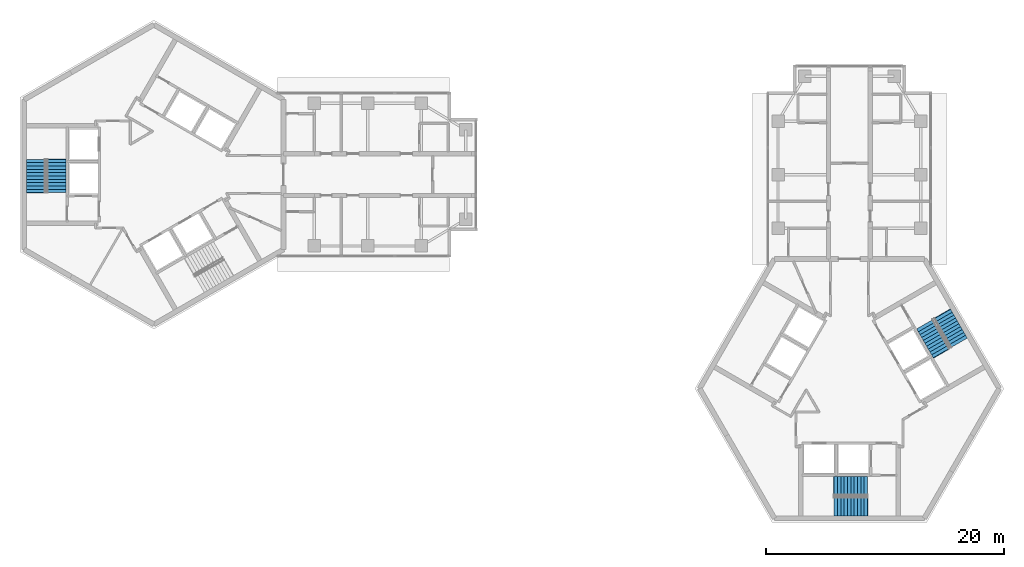
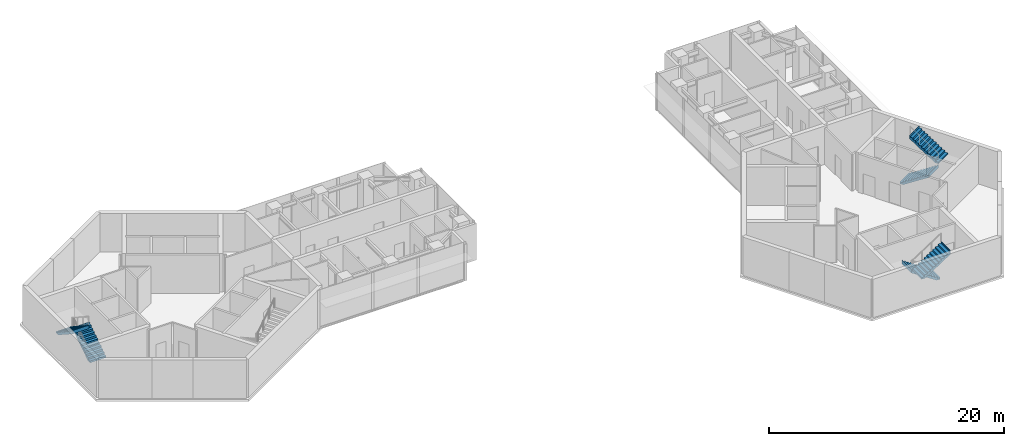
# One storey, part 10 of 11: 6 stair flights, 3 elements without a shape of their own.
"""IFC4 building model written with IfcOpenShell, lengths in metres."""

import ifcopenshell
import ifcopenshell.guid

model = None  # the IFC model being written
_history = None  # IfcOwnerHistory: only IFC2X3 demands one
_inside = {}  # id of a spatial element -> (the spatial element, [elements in it])
_under = {}  # id of a project, library or spatial element -> (it, [spatial elements below it])
_declared = {}  # id of a project -> (the project, [libraries it declares])
_typed = {}  # id of a type object -> (the type object, [elements of that type])
_made_of = {}  # id of a material, layer set ... -> (it, [elements and type objects made of it])


def new_model(schema):
    """Start an empty IFC model of exactly this schema.

    Asked for "IFC4X3", IfcOpenShell would pick the latest addendum, in which some entities
    have other attributes; the version numbers below select the first issue.
    IFC2X3 requires an IfcOwnerHistory on every rooted entity: one is made here for all.
    """
    global model, _history
    if schema == "IFC4X3":
        model = ifcopenshell.file(schema_version=(4, 3, 0, 0))
    else:
        model = ifcopenshell.file(schema=schema)
    _inside.clear()
    _under.clear()
    _declared.clear()
    _typed.clear()
    _made_of.clear()
    _history = None
    if model.schema == "IFC2X3":
        org = make("IfcOrganization", Name="unknown")
        user = make(
            "IfcPersonAndOrganization",
            ThePerson=make("IfcPerson", FamilyName="unknown"),
            TheOrganization=org,
        )
        app = make(
            "IfcApplication",
            ApplicationDeveloper=org,
            Version="unknown",
            ApplicationFullName="unknown",
            ApplicationIdentifier="unknown",
        )
        _history = make(
            "IfcOwnerHistory",
            OwningUser=user,
            OwningApplication=app,
            ChangeAction="ADDED",
            CreationDate=0,
        )
    return model


def make(cls, **values):
    """One entity of the class cls with the attributes given. An attribute that is None is left unset."""
    return model.create_entity(
        cls, **{name: value for name, value in values.items() if value is not None}
    )


def rooted(cls, **values):
    """An entity with a GlobalId (a new one), such as an element, a storey or a relation."""
    return make(cls, GlobalId=ifcopenshell.guid.new(), OwnerHistory=_history, **values)


def si_unit(unit_type, name, prefix=None):
    """IfcSIUnit, for example si_unit("LENGTHUNIT", "METRE", prefix="MILLI")."""
    return make("IfcSIUnit", UnitType=unit_type, Prefix=prefix, Name=name)


def assignment(units):
    """IfcUnitAssignment: the units of a project."""
    return None if units is None else make("IfcUnitAssignment", Units=units)


def point(xyz):
    """IfcCartesianPoint."""
    return None if xyz is None else make("IfcCartesianPoint", Coordinates=xyz)


def direction(xyz):
    """IfcDirection."""
    return None if xyz is None else make("IfcDirection", DirectionRatios=xyz)


def frame(location, z_axis=None, x_axis=None):
    """IfcAxis2Placement3D, a coordinate frame: its origin and axes. An axis left out is left unset."""
    return make(
        "IfcAxis2Placement3D",
        Location=point(location),
        Axis=direction(z_axis),
        RefDirection=direction(x_axis),
    )


def origin():
    """The frame at (0, 0, 0) with its axes left unset."""
    return frame((0.0, 0.0, 0.0))


def place(relative_to, where):
    """IfcLocalPlacement: puts the frame where relative to a parent placement (None: the world)."""
    return make(
        "IfcLocalPlacement", PlacementRelTo=relative_to, RelativePlacement=where
    )


def context(
    kind, dimensions, precision=None, world=None, true_north=None, identifier=None
):
    """IfcGeometricRepresentationContext, for example the 3D "Model" context."""
    return make(
        "IfcGeometricRepresentationContext",
        ContextIdentifier=identifier,
        ContextType=kind,
        CoordinateSpaceDimension=dimensions,
        Precision=precision,
        WorldCoordinateSystem=world,
        TrueNorth=true_north,
    )


def subcontext(parent, identifier, kind, view, scale=None):
    """IfcGeometricRepresentationSubContext, for example "Body" below "Model"."""
    return make(
        "IfcGeometricRepresentationSubContext",
        ContextIdentifier=identifier,
        ContextType=kind,
        ParentContext=parent,
        TargetScale=scale,
        TargetView=view,
    )


def project(units=None, contexts=None):
    """IfcProject with its units and contexts."""
    return rooted(
        "IfcProject",
        Name="project",
        RepresentationContexts=contexts,
        UnitsInContext=assignment(units),
    )


def spatial(cls, under=None, at=None, **own):
    """A site, building, storey or space (cls), placed at a placement, below another one or the project."""
    s = rooted(cls, ObjectPlacement=at, **own)
    if under is not None:
        _under.setdefault(under.id(), (under, []))[1].append(s)
    return s


def polyline(points):
    """IfcPolyline through the points."""
    return make("IfcPolyline", Points=[point(p) for p in points])


def outline(outer, holes=None, kind="AREA"):
    """IfcArbitraryClosedProfileDef: a profile drawn as a closed curve; with holes, ...WithVoids."""
    if holes is None:
        return make("IfcArbitraryClosedProfileDef", ProfileType=kind, OuterCurve=outer)
    return make(
        "IfcArbitraryProfileDefWithVoids",
        ProfileType=kind,
        OuterCurve=outer,
        InnerCurves=holes,
    )


def extrude(swept, where, along, depth):
    """IfcExtrudedAreaSolid: the profile swept, set in the frame where, extruded along a direction by depth."""
    return make(
        "IfcExtrudedAreaSolid",
        SweptArea=swept,
        Position=where,
        ExtrudedDirection=direction(along),
        Depth=depth,
    )


def shape(context_of_items, identifier, shape_type, items):
    """IfcShapeRepresentation: the items that make up one representation, for example the "Body"."""
    return make(
        "IfcShapeRepresentation",
        ContextOfItems=context_of_items,
        RepresentationIdentifier=identifier,
        RepresentationType=shape_type,
        Items=items,
    )


def material(Name=None, Category=None):
    """IfcMaterial."""
    return make("IfcMaterial", Name=Name, Category=Category)


def made_of(thing, what):
    """Note that an element or type object is made of a material, layer set ...; save() writes the relation."""
    if what is not None:
        _made_of.setdefault(what.id(), (what, []))[1].append(thing)
    return thing


def type_object(cls, material=None, **own):
    """A type object (cls), such as IfcWallType, which elements share."""
    return made_of(rooted(cls, **own), material)


def element(
    cls,
    number,
    at=None,
    inside=None,
    cuts=None,
    type_object=None,
    material=None,
    context=None,
    identifier="Body",
    shape_type=None,
    held_by="IfcProductDefinitionShape",
    body=None,
    shapes=None,
    **own,
):
    """One element of the class cls, such as IfcWall. Its Tag is "e" and its number.

    at: its placement. inside: the storey or other place that contains it. cuts: it is an
    opening in that element (IfcRelVoidsElement). A single representation is given by context,
    identifier, shape_type and body (its items); several are given by shapes. held_by: the class
    of the entity that holds the representations. save() writes the other relations.
    """
    e = rooted(cls, Tag="e%d" % number, ObjectPlacement=at, **own)
    if body is not None:
        shapes = [shape(context, identifier, shape_type, body)]
    if shapes is not None:
        e.Representation = make(held_by, Representations=shapes)
    if inside is not None:
        _inside.setdefault(inside.id(), (inside, []))[1].append(e)
    if cuts is not None:
        rooted(
            "IfcRelVoidsElement", RelatingBuildingElement=cuts, RelatedOpeningElement=e
        )
    if type_object is not None:
        _typed.setdefault(type_object.id(), (type_object, []))[1].append(e)
    return made_of(e, material)


def aggregate(whole, parts):
    """IfcRelAggregates: a whole, such as a stair, and the parts it consists of."""
    return rooted("IfcRelAggregates", RelatingObject=whole, RelatedObjects=parts)


def save(model, path):
    """Write the relations noted so far, then the file.

    IfcRelAggregates (storeys below a building ...), IfcRelContainedInSpatialStructure (elements
    in a storey), IfcRelDefinesByType, IfcRelAssociatesMaterial and IfcRelDeclares: one each for
    every whole, place, type object, material and project.
    """
    for whole, parts in _under.values():
        aggregate(whole, parts)
    for where, things in _inside.values():
        rooted(
            "IfcRelContainedInSpatialStructure",
            RelatedElements=things,
            RelatingStructure=where,
        )
    for kind, things in _typed.values():
        rooted("IfcRelDefinesByType", RelatedObjects=things, RelatingType=kind)
    for what, things in _made_of.values():
        rooted("IfcRelAssociatesMaterial", RelatedObjects=things, RelatingMaterial=what)
    for by, libraries in _declared.values():
        rooted("IfcRelDeclares", RelatingContext=by, RelatedDefinitions=libraries)
    model.write(path)


model = new_model("IFC4")

# Units and contexts
model_context = context("Model", 3, precision=1e-05, world=origin(), true_north=direction((0.0, 1.0)))
body_context = subcontext(model_context, "Body", "Model", "MODEL_VIEW")
ifc_project = project(units=[si_unit("LENGTHUNIT", "METRE"), si_unit("AREAUNIT", "SQUARE_METRE"), si_unit("VOLUMEUNIT", "CUBIC_METRE"), si_unit("PLANEANGLEUNIT", "RADIAN"), si_unit("MASSUNIT", "GRAM", prefix="KILO")], contexts=[model_context])

# Site, building, storey
site_placement = place(None, origin())
site = spatial("IfcSite", under=ifc_project, at=site_placement, CompositionType="ELEMENT")
building_placement = place(site_placement, origin())
building = spatial("IfcBuilding", under=site, at=building_placement, Name="Upepo Twin Towers", CompositionType="ELEMENT")
storey_placement = place(building_placement, frame((0.0, 0.0, 247.5)))
storey = spatial("IfcBuildingStorey", under=building, at=storey_placement, Name="L60", CompositionType="ELEMENT", Elevation=247.5)

# Stair, stair flights
ifc_material_1 = material(Name="Concrete C40/50", Category="concrete")
stair_type = type_object("IfcStairType", Name="Core stair, two flights", PredefinedType="HALF_TURN_STAIR", material=ifc_material_1)
stair_1_placement = place(storey_placement, origin())
stair_1 = element("IfcStair", 1, at=stair_1_placement, inside=storey, type_object=stair_type, Name="T1 stair S1 L60", PredefinedType="HALF_TURN_STAIR")
ifc_material_2 = material(Name="Concrete C40/50", Category="concrete")
stair_flight_type = type_object("IfcStairFlightType", Name="Stair flight 1600 RC", PredefinedType="STRAIGHT", material=ifc_material_2)
stair_flight_1_placement = place(storey_placement, frame((-8.199951171875, -1.52001953125, 0.0), z_axis=(0.0, 0.0, 1.0), x_axis=(0.0, 1.0, 0.0)))
stair_flight_1 = element("IfcStairFlight", 2, at=stair_flight_1_placement, type_object=stair_flight_type, Name="Stair S1 flight 1", NumberOfRisers=11, NumberOfTreads=10, PredefinedType="STRAIGHT", RiserHeight=0.181818182, TreadLength=0.28, context=body_context, shape_type="SweptSolid", body=[
    extrude(outline(polyline([(0.0, 0.0), (0.0, 0.181884765625), (0.280029296875, 0.181884765625), (0.280029296875, 0.363525390625), (0.56005859375, 0.363525390625), (0.56005859375, 0.54541015625), (0.840087890625, 0.54541015625), (0.840087890625, 0.727294921875), (1.1201171875, 0.727294921875), (1.1201171875, 0.9091796875), (1.39990234375, 0.9091796875), (1.39990234375, 1.0908203125), (1.679931640625, 1.0908203125), (1.679931640625, 1.272705078125), (1.9599609375, 1.272705078125), (1.9599609375, 1.45458984375), (2.239990234375, 1.45458984375), (2.239990234375, 1.636474609375), (2.52001953125, 1.636474609375), (2.52001953125, 1.818115234375), (2.800048828125, 1.818115234375), (2.800048828125, 2.0), (2.85009765625, 2.0), (2.85009765625, 1.639404296875), (0.3251953125, 0.0), (0.0, 0.0)])), frame((0.0, 0.800048828125, 0.0), z_axis=(0.0, -1.0, 0.0), x_axis=(1.0, 0.0, 0.0)), (0.0, 0.0, 1.0), 1.60009765625),
])
stair_flight_2_placement = place(storey_placement, frame((-9.908447265625, 1.280029296875, 2.0), z_axis=(0.0, 0.0, 1.0), x_axis=(0.0, -1.0, 0.0)))
stair_flight_2 = element("IfcStairFlight", 3, at=stair_flight_2_placement, type_object=stair_flight_type, Name="Stair S1 flight 2", NumberOfRisers=11, NumberOfTreads=10, PredefinedType="STRAIGHT", RiserHeight=0.181818182, TreadLength=0.28, context=body_context, shape_type="SweptSolid", body=[
    extrude(outline(polyline([(0.0, 0.0), (0.0, 0.181884765625), (0.280029296875, 0.181884765625), (0.280029296875, 0.363525390625), (0.56005859375, 0.363525390625), (0.56005859375, 0.54541015625), (0.840087890625, 0.54541015625), (0.840087890625, 0.727294921875), (1.1201171875, 0.727294921875), (1.1201171875, 0.9091796875), (1.39990234375, 0.9091796875), (1.39990234375, 1.0908203125), (1.679931640625, 1.0908203125), (1.679931640625, 1.272705078125), (1.9599609375, 1.272705078125), (1.9599609375, 1.45458984375), (2.239990234375, 1.45458984375), (2.239990234375, 1.636474609375), (2.52001953125, 1.636474609375), (2.52001953125, 1.818115234375), (2.800048828125, 1.818115234375), (2.800048828125, 2.0), (2.85009765625, 2.0), (2.85009765625, 1.639404296875), (0.3251953125, 0.0), (0.0, 0.0)])), frame((0.0, 0.800048828125, 0.0), z_axis=(0.0, -1.0, 0.0), x_axis=(1.0, 0.0, 0.0)), (0.0, 0.0, 1.0), 1.60009765625),
])
aggregate(stair_1, [stair_flight_1, stair_flight_2])

stair_2_placement = place(storey_placement, origin())
stair_2 = element("IfcStair", 4, at=stair_2_placement, inside=storey, type_object=stair_type, Name="T2 stair S1 L60", PredefinedType="HALF_TURN_STAIR")
stair_flight_3_placement = place(storey_placement, frame((60.02001953125, -26.199951171875, 0.0), z_axis=(0.0, 0.0, 1.0), x_axis=(-1.0, 0.0, 0.0)))
stair_flight_3 = element("IfcStairFlight", 5, at=stair_flight_3_placement, type_object=stair_flight_type, Name="Stair S1 flight 1", NumberOfRisers=11, NumberOfTreads=10, PredefinedType="STRAIGHT", RiserHeight=0.181818182, TreadLength=0.28, context=body_context, shape_type="SweptSolid", body=[
    extrude(outline(polyline([(0.0, 0.0), (0.0, 0.181884765625), (0.280029296875, 0.181884765625), (0.280029296875, 0.363525390625), (0.56005859375, 0.363525390625), (0.56005859375, 0.54541015625), (0.840087890625, 0.54541015625), (0.840087890625, 0.727294921875), (1.1201171875, 0.727294921875), (1.1201171875, 0.9091796875), (1.39990234375, 0.9091796875), (1.39990234375, 1.0908203125), (1.679931640625, 1.0908203125), (1.679931640625, 1.272705078125), (1.9599609375, 1.272705078125), (1.9599609375, 1.45458984375), (2.239990234375, 1.45458984375), (2.239990234375, 1.636474609375), (2.52001953125, 1.636474609375), (2.52001953125, 1.818115234375), (2.800048828125, 1.818115234375), (2.800048828125, 2.0), (2.85009765625, 2.0), (2.85009765625, 1.639404296875), (0.3251953125, 0.0), (0.0, 0.0)])), frame((0.0, 0.800048828125, 0.0), z_axis=(0.0, -1.0, 0.0), x_axis=(1.0, 0.0, 0.0)), (0.0, 0.0, 1.0), 1.60009765625),
])
stair_flight_4_placement = place(storey_placement, frame((57.219970703125, -27.908447265625, 2.0), z_axis=(0.0, 0.0, 1.0), x_axis=(1.0, 0.0, 0.0)))
stair_flight_4 = element("IfcStairFlight", 6, at=stair_flight_4_placement, type_object=stair_flight_type, Name="Stair S1 flight 2", NumberOfRisers=11, NumberOfTreads=10, PredefinedType="STRAIGHT", RiserHeight=0.181818182, TreadLength=0.28, context=body_context, shape_type="SweptSolid", body=[
    extrude(outline(polyline([(0.0, 0.0), (0.0, 0.181884765625), (0.280029296875, 0.181884765625), (0.280029296875, 0.363525390625), (0.56005859375, 0.363525390625), (0.56005859375, 0.54541015625), (0.840087890625, 0.54541015625), (0.840087890625, 0.727294921875), (1.1201171875, 0.727294921875), (1.1201171875, 0.9091796875), (1.39990234375, 0.9091796875), (1.39990234375, 1.0908203125), (1.679931640625, 1.0908203125), (1.679931640625, 1.272705078125), (1.9599609375, 1.272705078125), (1.9599609375, 1.45458984375), (2.239990234375, 1.45458984375), (2.239990234375, 1.636474609375), (2.52001953125, 1.636474609375), (2.52001953125, 1.818115234375), (2.800048828125, 1.818115234375), (2.800048828125, 2.0), (2.85009765625, 2.0), (2.85009765625, 1.639404296875), (0.3251953125, 0.0), (0.0, 0.0)])), frame((0.0, 0.800048828125, 0.0), z_axis=(0.0, -1.0, 0.0), x_axis=(1.0, 0.0, 0.0)), (0.0, 0.0, 1.0), 1.60009765625),
])
aggregate(stair_2, [stair_flight_3, stair_flight_4])

stair_3_placement = place(storey_placement, origin())
stair_3 = element("IfcStair", 7, at=stair_3_placement, inside=storey, type_object=stair_type, Name="T2 stair S2 L60", PredefinedType="HALF_TURN_STAIR")
stair_flight_5_placement = place(storey_placement, frame((64.84130859375, -12.583740234375, 0.0), z_axis=(0.0, 0.0, 1.0), x_axis=(0.5, -0.866025403784, 0.0)))
stair_flight_5 = element("IfcStairFlight", 8, at=stair_flight_5_placement, type_object=stair_flight_type, Name="Stair S2 flight 1", NumberOfRisers=11, NumberOfTreads=10, PredefinedType="STRAIGHT", RiserHeight=0.181818182, TreadLength=0.28, context=body_context, shape_type="SweptSolid", body=[
    extrude(outline(polyline([(0.0, 0.0), (0.0, 0.181884765625), (0.280029296875, 0.181884765625), (0.280029296875, 0.363525390625), (0.56005859375, 0.363525390625), (0.56005859375, 0.54541015625), (0.840087890625, 0.54541015625), (0.840087890625, 0.727294921875), (1.1201171875, 0.727294921875), (1.1201171875, 0.9091796875), (1.39990234375, 0.9091796875), (1.39990234375, 1.0908203125), (1.679931640625, 1.0908203125), (1.679931640625, 1.272705078125), (1.9599609375, 1.272705078125), (1.9599609375, 1.45458984375), (2.239990234375, 1.45458984375), (2.239990234375, 1.636474609375), (2.52001953125, 1.636474609375), (2.52001953125, 1.818115234375), (2.800048828125, 1.818115234375), (2.800048828125, 2.0), (2.85009765625, 2.0), (2.85009765625, 1.639404296875), (0.3251953125, 0.0), (0.0, 0.0)])), frame((0.0, 0.800048828125, 0.0), z_axis=(0.0, -1.0, 0.0), x_axis=(1.0, 0.0, 0.0)), (0.0, 0.0, 1.0), 1.60009765625),
])
stair_flight_6_placement = place(storey_placement, frame((67.720947265625, -14.154296875, 2.0), z_axis=(0.0, 0.0, 1.0), x_axis=(-0.5, 0.866025403784, 0.0)))
stair_flight_6 = element("IfcStairFlight", 9, at=stair_flight_6_placement, type_object=stair_flight_type, Name="Stair S2 flight 2", NumberOfRisers=11, NumberOfTreads=10, PredefinedType="STRAIGHT", RiserHeight=0.181818182, TreadLength=0.28, context=body_context, shape_type="SweptSolid", body=[
    extrude(outline(polyline([(0.0, 0.0), (0.0, 0.181884765625), (0.280029296875, 0.181884765625), (0.280029296875, 0.363525390625), (0.56005859375, 0.363525390625), (0.56005859375, 0.54541015625), (0.840087890625, 0.54541015625), (0.840087890625, 0.727294921875), (1.1201171875, 0.727294921875), (1.1201171875, 0.9091796875), (1.39990234375, 0.9091796875), (1.39990234375, 1.0908203125), (1.679931640625, 1.0908203125), (1.679931640625, 1.272705078125), (1.9599609375, 1.272705078125), (1.9599609375, 1.45458984375), (2.239990234375, 1.45458984375), (2.239990234375, 1.636474609375), (2.52001953125, 1.636474609375), (2.52001953125, 1.818115234375), (2.800048828125, 1.818115234375), (2.800048828125, 2.0), (2.85009765625, 2.0), (2.85009765625, 1.639404296875), (0.3251953125, 0.0), (0.0, 0.0)])), frame((0.0, 0.800048828125, 0.0), z_axis=(0.0, -1.0, 0.0), x_axis=(1.0, 0.0, 0.0)), (0.0, 0.0, 1.0), 1.60009765625),
])
aggregate(stair_3, [stair_flight_5, stair_flight_6])

save(model, "model.ifc")
